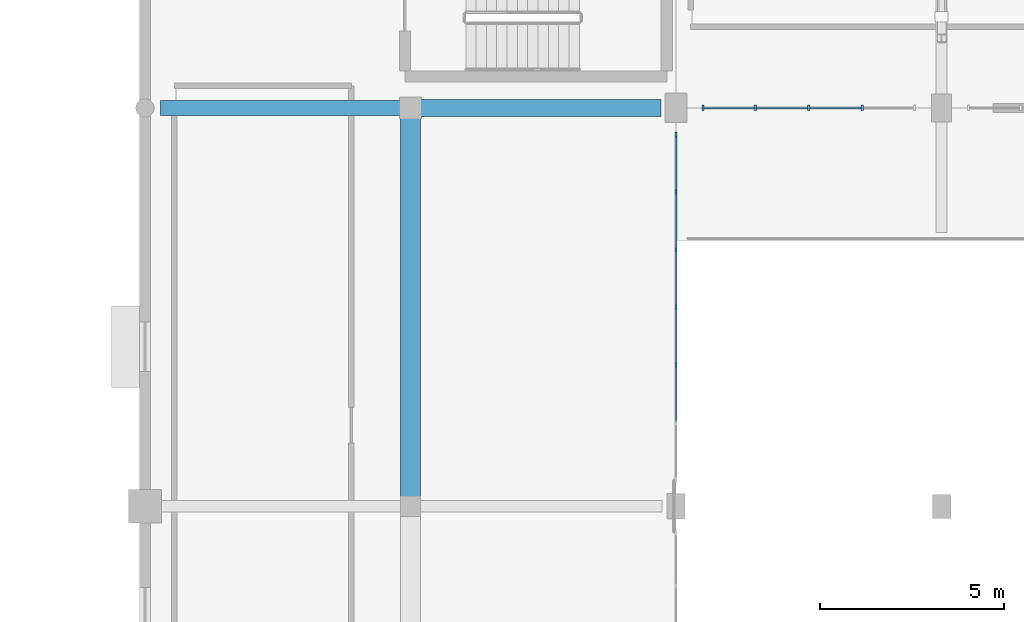
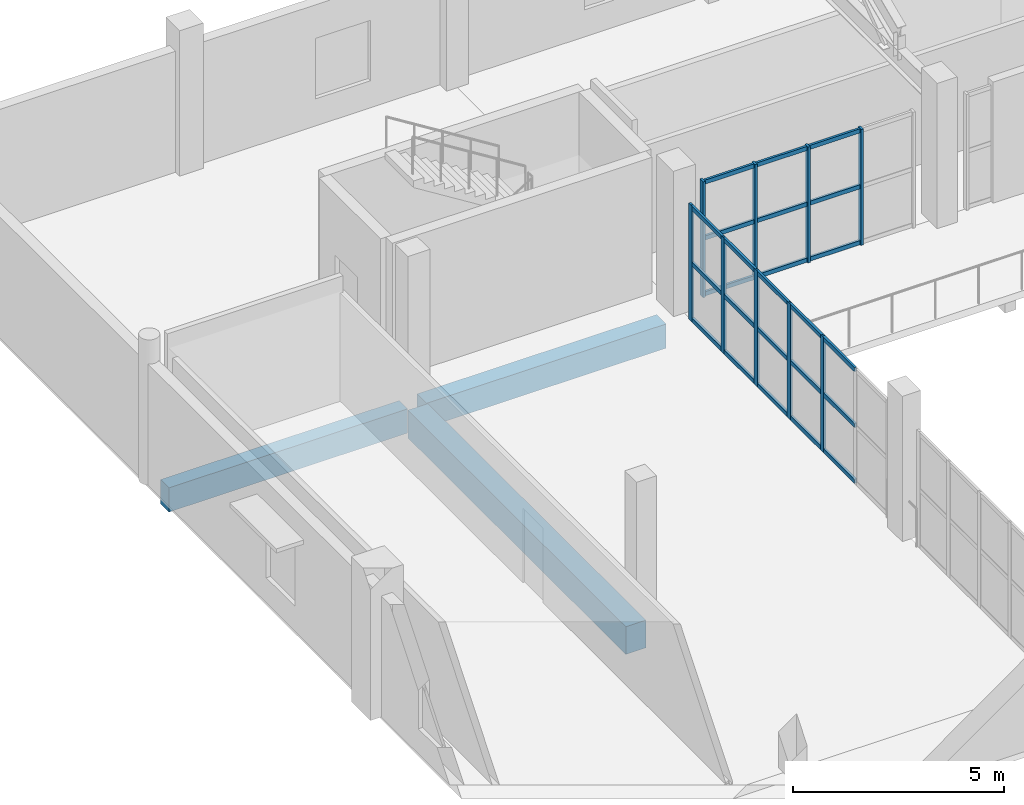
# One storey, part 23 of 92: 33 members, 3 beams, 2 elements without a shape of their own.
"""IFC4 building model written with IfcOpenShell, lengths in metres."""

from ifc_helpers import new_model, si_unit, direction, frame, origin, origin_2d, place, context, subcontext, project, spatial, rectangle, extrude, material, material_profile, profile_set, type_object, element, aggregate, save


model = new_model("IFC4")

# Units and contexts
model_context = context("Model", 3, precision=1e-05, world=origin(), true_north=direction((0.0, 1.0)))
body_context = subcontext(model_context, "Body", "Model", "MODEL_VIEW")
ifc_project = project(units=[si_unit("LENGTHUNIT", "METRE"), si_unit("AREAUNIT", "SQUARE_METRE"), si_unit("VOLUMEUNIT", "CUBIC_METRE"), si_unit("PLANEANGLEUNIT", "RADIAN"), si_unit("MASSUNIT", "GRAM", prefix="KILO")], contexts=[model_context])

# Site, building, storey
site_placement = place(None, origin())
site = spatial("IfcSite", under=ifc_project, at=site_placement, CompositionType="ELEMENT")
building_placement = place(site_placement, origin())
building = spatial("IfcBuilding", under=site, at=building_placement, Name="Solanera Park Tramway Depot", CompositionType="ELEMENT")
storey_placement = place(building_placement, frame((0.0, 0.0, 4.800048828125)))
storey = spatial("IfcBuildingStorey", under=building, at=storey_placement, Name="L01", CompositionType="ELEMENT", Elevation=4.800048828125)

# Curtain wall, members
ifc_material_1 = material(Name="Bronze-anodised thermally broken aluminium curtain wall", Category="aluminium")
curtain_wall_type = type_object("IfcCurtainWallType", Name="Courtyard Cloister Unitised Curtain Wall", PredefinedType="NOTDEFINED", material=ifc_material_1)
curtain_wall_1_placement = place(storey_placement, origin())
curtain_wall_1 = element("IfcCurtainWall", 1, at=curtain_wall_1_placement, inside=storey, type_object=curtain_wall_type, Name="L01 Courtyard Cloister Unitised Curtain Wall #094", PredefinedType="NOTDEFINED")
ifc_material_2 = material(Name="Bronze-anodised structural aluminium 6063-T6", Category="aluminium")
ifc_material_profile_1 = material_profile(ifc_material_2, rectangle(XDim=0.06494140625, YDim=0.14990234375, at=origin_2d()), Name="Curtain Wall Mullion 65x150")
ifc_profile_set_1 = profile_set([ifc_material_profile_1], Name="Bronze-anodised structural aluminium 6063-T6")
member_type_1 = type_object("IfcMemberType", Name="Curtain Wall Mullion 65x150", PredefinedType="MULLION", material=ifc_profile_set_1)
member_1_placement = place(storey_placement, frame((127.449951171875, 43.199951171875, 0.0), z_axis=(0.0, 0.0, 1.0), x_axis=(1.0, 0.0, 0.0)))
member_1 = element("IfcMember", 2, at=member_1_placement, type_object=member_type_1, Name="CW-L01-094 Mullion 2", PredefinedType="MULLION", context=body_context, shape_type="SweptSolid", body=[
    extrude(rectangle(XDim=0.06494140625, YDim=0.14990234375, at=origin_2d()), origin(), (0.0, 0.0, 1.0), 3.349853515625),
])
member_2_placement = place(storey_placement, frame((126.0, 43.199951171875, 0.0), z_axis=(0.0, 0.0, 1.0), x_axis=(1.0, 0.0, 0.0)))
member_2 = element("IfcMember", 3, at=member_2_placement, type_object=member_type_1, Name="CW-L01-094 Mullion 3", PredefinedType="MULLION", context=body_context, shape_type="SweptSolid", body=[
    extrude(rectangle(XDim=0.06494140625, YDim=0.14990234375, at=origin_2d()), origin(), (0.0, 0.0, 1.0), 3.349853515625),
])
member_3_placement = place(storey_placement, frame((124.550048828125, 43.199951171875, 0.0), z_axis=(0.0, 0.0, 1.0), x_axis=(1.0, 0.0, 0.0)))
member_3 = element("IfcMember", 4, at=member_3_placement, type_object=member_type_1, Name="CW-L01-094 Mullion 4", PredefinedType="MULLION", context=body_context, shape_type="SweptSolid", body=[
    extrude(rectangle(XDim=0.06494140625, YDim=0.14990234375, at=origin_2d()), origin(), (0.0, 0.0, 1.0), 3.349853515625),
])
member_4_placement = place(storey_placement, frame((123.132568359375, 43.199951171875, 0.0), z_axis=(0.0, 0.0, 1.0), x_axis=(1.0, 0.0, 0.0)))
member_4 = element("IfcMember", 5, at=member_4_placement, type_object=member_type_1, Name="CW-L01-094 Mullion 5", PredefinedType="MULLION", context=body_context, shape_type="SweptSolid", body=[
    extrude(rectangle(XDim=0.06494140625, YDim=0.14990234375, at=origin_2d()), origin(), (0.0, 0.0, 1.0), 3.349853515625),
])

curtain_wall_2_placement = place(storey_placement, origin())
curtain_wall_2 = element("IfcCurtainWall", 6, at=curtain_wall_2_placement, inside=storey, type_object=curtain_wall_type, Name="L01 Courtyard Cloister Unitised Curtain Wall #102", PredefinedType="NOTDEFINED")
member_5_placement = place(storey_placement, frame((122.39990234375, 36.2333984375, 0.0), z_axis=(0.0, 0.0, 1.0), x_axis=(1.0, 0.0, 0.0)))
member_5 = element("IfcMember", 7, at=member_5_placement, type_object=member_type_1, Name="CW-L01-102 Mullion 3", PredefinedType="MULLION", context=body_context, shape_type="SweptSolid", body=[
    extrude(rectangle(XDim=0.06494140625, YDim=0.14990234375, at=origin_2d()), origin(), (0.0, 0.0, 1.0), 3.349853515625),
])
member_6_placement = place(storey_placement, frame((122.39990234375, 37.800048828125, 0.0), z_axis=(0.0, 0.0, 1.0), x_axis=(1.0, 0.0, 0.0)))
member_6 = element("IfcMember", 8, at=member_6_placement, type_object=member_type_1, Name="CW-L01-102 Mullion 4", PredefinedType="MULLION", context=body_context, shape_type="SweptSolid", body=[
    extrude(rectangle(XDim=0.06494140625, YDim=0.14990234375, at=origin_2d()), origin(), (0.0, 0.0, 1.0), 3.349853515625),
])
member_7_placement = place(storey_placement, frame((122.39990234375, 39.36669921875, 0.0), z_axis=(0.0, 0.0, 1.0), x_axis=(1.0, 0.0, 0.0)))
member_7 = element("IfcMember", 9, at=member_7_placement, type_object=member_type_1, Name="CW-L01-102 Mullion 5", PredefinedType="MULLION", context=body_context, shape_type="SweptSolid", body=[
    extrude(rectangle(XDim=0.06494140625, YDim=0.14990234375, at=origin_2d()), origin(), (0.0, 0.0, 1.0), 3.349853515625),
])
member_8_placement = place(storey_placement, frame((122.39990234375, 40.933349609375, 0.0), z_axis=(0.0, 0.0, 1.0), x_axis=(1.0, 0.0, 0.0)))
member_8 = element("IfcMember", 10, at=member_8_placement, type_object=member_type_1, Name="CW-L01-102 Mullion 6", PredefinedType="MULLION", context=body_context, shape_type="SweptSolid", body=[
    extrude(rectangle(XDim=0.06494140625, YDim=0.14990234375, at=origin_2d()), origin(), (0.0, 0.0, 1.0), 3.349853515625),
])
member_9_placement = place(storey_placement, frame((122.39990234375, 42.467529296875, 0.0), z_axis=(0.0, 0.0, 1.0), x_axis=(1.0, 0.0, 0.0)))
member_9 = element("IfcMember", 11, at=member_9_placement, type_object=member_type_1, Name="CW-L01-102 Mullion 7", PredefinedType="MULLION", context=body_context, shape_type="SweptSolid", body=[
    extrude(rectangle(XDim=0.06494140625, YDim=0.14990234375, at=origin_2d()), origin(), (0.0, 0.0, 1.0), 3.349853515625),
])

# Member
ifc_material_3 = material(Name="Bronze-anodised structural aluminium 6063-T6", Category="aluminium")
ifc_material_profile_2 = material_profile(ifc_material_3, rectangle(XDim=0.06494140625, YDim=0.1201171875, at=origin_2d()), Name="Curtain Wall Transom 65x120")
ifc_profile_set_2 = profile_set([ifc_material_profile_2], Name="Bronze-anodised structural aluminium 6063-T6")
member_type_2 = type_object("IfcMemberType", Name="Curtain Wall Transom 65x120", PredefinedType="USERDEFINED", material=ifc_profile_set_2)
member_10_placement = place(storey_placement, frame((127.422119140625, 43.199951171875, 0.06005859375), z_axis=(-1.0, 0.0, 0.0), x_axis=(0.0, -1.0, 0.0)))
member_10 = element("IfcMember", 12, at=member_10_placement, type_object=member_type_2, Name="CW-L01-094 Transom R1.C2", ObjectType="TRANSOM", PredefinedType="USERDEFINED", context=body_context, shape_type="SweptSolid", body=[
    extrude(rectangle(XDim=0.06494140625, YDim=0.1201171875, at=origin_2d()), origin(), (0.0, 0.0, 1.0), 1.39404296875),
])

member_11_placement = place(storey_placement, frame((125.971923828125, 43.199951171875, 0.06005859375), z_axis=(-1.0, 0.0, 0.0), x_axis=(0.0, -1.0, 0.0)))
member_11 = element("IfcMember", 13, at=member_11_placement, type_object=member_type_2, Name="CW-L01-094 Transom R1.C3", ObjectType="TRANSOM", PredefinedType="USERDEFINED", context=body_context, shape_type="SweptSolid", body=[
    extrude(rectangle(XDim=0.06494140625, YDim=0.1201171875, at=origin_2d()), origin(), (0.0, 0.0, 1.0), 1.39404296875),
])

member_12_placement = place(storey_placement, frame((124.52197265625, 43.199951171875, 0.06005859375), z_axis=(-1.0, 0.0, 0.0), x_axis=(0.0, -1.0, 0.0)))
member_12 = element("IfcMember", 14, at=member_12_placement, type_object=member_type_2, Name="CW-L01-094 Transom R1.C4", ObjectType="TRANSOM", PredefinedType="USERDEFINED", context=body_context, shape_type="SweptSolid", body=[
    extrude(rectangle(XDim=0.06494140625, YDim=0.1201171875, at=origin_2d()), origin(), (0.0, 0.0, 1.0), 1.361572265625),
])

member_13_placement = place(storey_placement, frame((127.422119140625, 43.199951171875, 1.675048828125), z_axis=(-1.0, 0.0, 0.0), x_axis=(0.0, -1.0, 0.0)))
member_13 = element("IfcMember", 15, at=member_13_placement, type_object=member_type_2, Name="CW-L01-094 Transom R2.C2", ObjectType="TRANSOM", PredefinedType="USERDEFINED", context=body_context, shape_type="SweptSolid", body=[
    extrude(rectangle(XDim=0.06494140625, YDim=0.1201171875, at=origin_2d()), origin(), (0.0, 0.0, 1.0), 1.39404296875),
])

member_14_placement = place(storey_placement, frame((125.971923828125, 43.199951171875, 1.675048828125), z_axis=(-1.0, 0.0, 0.0), x_axis=(0.0, -1.0, 0.0)))
member_14 = element("IfcMember", 16, at=member_14_placement, type_object=member_type_2, Name="CW-L01-094 Transom R2.C3", ObjectType="TRANSOM", PredefinedType="USERDEFINED", context=body_context, shape_type="SweptSolid", body=[
    extrude(rectangle(XDim=0.06494140625, YDim=0.1201171875, at=origin_2d()), origin(), (0.0, 0.0, 1.0), 1.39404296875),
])

member_15_placement = place(storey_placement, frame((124.52197265625, 43.199951171875, 1.675048828125), z_axis=(-1.0, 0.0, 0.0), x_axis=(0.0, -1.0, 0.0)))
member_15 = element("IfcMember", 17, at=member_15_placement, type_object=member_type_2, Name="CW-L01-094 Transom R2.C4", ObjectType="TRANSOM", PredefinedType="USERDEFINED", context=body_context, shape_type="SweptSolid", body=[
    extrude(rectangle(XDim=0.06494140625, YDim=0.1201171875, at=origin_2d()), origin(), (0.0, 0.0, 1.0), 1.361572265625),
])

member_16_placement = place(storey_placement, frame((127.422119140625, 43.199951171875, 3.2900390625), z_axis=(-1.0, 0.0, 0.0), x_axis=(0.0, -1.0, 0.0)))
member_16 = element("IfcMember", 18, at=member_16_placement, type_object=member_type_2, Name="CW-L01-094 Transom R3.C2", ObjectType="TRANSOM", PredefinedType="USERDEFINED", context=body_context, shape_type="SweptSolid", body=[
    extrude(rectangle(XDim=0.06494140625, YDim=0.1201171875, at=origin_2d()), origin(), (0.0, 0.0, 1.0), 1.39404296875),
])

member_17_placement = place(storey_placement, frame((125.971923828125, 43.199951171875, 3.2900390625), z_axis=(-1.0, 0.0, 0.0), x_axis=(0.0, -1.0, 0.0)))
member_17 = element("IfcMember", 19, at=member_17_placement, type_object=member_type_2, Name="CW-L01-094 Transom R3.C3", ObjectType="TRANSOM", PredefinedType="USERDEFINED", context=body_context, shape_type="SweptSolid", body=[
    extrude(rectangle(XDim=0.06494140625, YDim=0.1201171875, at=origin_2d()), origin(), (0.0, 0.0, 1.0), 1.39404296875),
])

member_18_placement = place(storey_placement, frame((124.52197265625, 43.199951171875, 3.2900390625), z_axis=(-1.0, 0.0, 0.0), x_axis=(0.0, -1.0, 0.0)))
member_18 = element("IfcMember", 20, at=member_18_placement, type_object=member_type_2, Name="CW-L01-094 Transom R3.C4", ObjectType="TRANSOM", PredefinedType="USERDEFINED", context=body_context, shape_type="SweptSolid", body=[
    extrude(rectangle(XDim=0.06494140625, YDim=0.1201171875, at=origin_2d()), origin(), (0.0, 0.0, 1.0), 1.361572265625),
])

aggregate(curtain_wall_1, [member_1, member_2, member_3, member_4, member_10, member_11, member_12, member_13, member_14, member_15, member_16, member_17, member_18])

member_19_placement = place(storey_placement, frame((122.39990234375, 34.694580078125, 0.06005859375), z_axis=(0.0, 1.0, 0.0), x_axis=(-1.0, 0.0, 0.0)))
member_19 = element("IfcMember", 21, at=member_19_placement, type_object=member_type_2, Name="CW-L01-102 Transom R1.C2", ObjectType="TRANSOM", PredefinedType="USERDEFINED", context=body_context, shape_type="SweptSolid", body=[
    extrude(rectangle(XDim=0.06494140625, YDim=0.1201171875, at=origin_2d()), origin(), (0.0, 0.0, 1.0), 1.5107421875),
])

member_20_placement = place(storey_placement, frame((122.39990234375, 36.26123046875, 0.06005859375), z_axis=(0.0, 1.0, 0.0), x_axis=(-1.0, 0.0, 0.0)))
member_20 = element("IfcMember", 22, at=member_20_placement, type_object=member_type_2, Name="CW-L01-102 Transom R1.C3", ObjectType="TRANSOM", PredefinedType="USERDEFINED", context=body_context, shape_type="SweptSolid", body=[
    extrude(rectangle(XDim=0.06494140625, YDim=0.1201171875, at=origin_2d()), origin(), (0.0, 0.0, 1.0), 1.5107421875),
])

member_21_placement = place(storey_placement, frame((122.39990234375, 37.827880859375, 0.06005859375), z_axis=(0.0, 1.0, 0.0), x_axis=(-1.0, 0.0, 0.0)))
member_21 = element("IfcMember", 23, at=member_21_placement, type_object=member_type_2, Name="CW-L01-102 Transom R1.C4", ObjectType="TRANSOM", PredefinedType="USERDEFINED", context=body_context, shape_type="SweptSolid", body=[
    extrude(rectangle(XDim=0.06494140625, YDim=0.1201171875, at=origin_2d()), origin(), (0.0, 0.0, 1.0), 1.5107421875),
])

member_22_placement = place(storey_placement, frame((122.39990234375, 39.394775390625, 0.06005859375), z_axis=(0.0, 1.0, 0.0), x_axis=(-1.0, 0.0, 0.0)))
member_22 = element("IfcMember", 24, at=member_22_placement, type_object=member_type_2, Name="CW-L01-102 Transom R1.C5", ObjectType="TRANSOM", PredefinedType="USERDEFINED", context=body_context, shape_type="SweptSolid", body=[
    extrude(rectangle(XDim=0.06494140625, YDim=0.1201171875, at=origin_2d()), origin(), (0.0, 0.0, 1.0), 1.510498046875),
])

member_23_placement = place(storey_placement, frame((122.39990234375, 40.961181640625, 0.06005859375), z_axis=(0.0, 1.0, 0.0), x_axis=(-1.0, 0.0, 0.0)))
member_23 = element("IfcMember", 25, at=member_23_placement, type_object=member_type_2, Name="CW-L01-102 Transom R1.C6", ObjectType="TRANSOM", PredefinedType="USERDEFINED", context=body_context, shape_type="SweptSolid", body=[
    extrude(rectangle(XDim=0.06494140625, YDim=0.1201171875, at=origin_2d()), origin(), (0.0, 0.0, 1.0), 1.478271484375),
])

member_24_placement = place(storey_placement, frame((122.39990234375, 34.694580078125, 1.675048828125), z_axis=(0.0, 1.0, 0.0), x_axis=(-1.0, 0.0, 0.0)))
member_24 = element("IfcMember", 26, at=member_24_placement, type_object=member_type_2, Name="CW-L01-102 Transom R2.C2", ObjectType="TRANSOM", PredefinedType="USERDEFINED", context=body_context, shape_type="SweptSolid", body=[
    extrude(rectangle(XDim=0.06494140625, YDim=0.1201171875, at=origin_2d()), origin(), (0.0, 0.0, 1.0), 1.5107421875),
])

member_25_placement = place(storey_placement, frame((122.39990234375, 36.26123046875, 1.675048828125), z_axis=(0.0, 1.0, 0.0), x_axis=(-1.0, 0.0, 0.0)))
member_25 = element("IfcMember", 27, at=member_25_placement, type_object=member_type_2, Name="CW-L01-102 Transom R2.C3", ObjectType="TRANSOM", PredefinedType="USERDEFINED", context=body_context, shape_type="SweptSolid", body=[
    extrude(rectangle(XDim=0.06494140625, YDim=0.1201171875, at=origin_2d()), origin(), (0.0, 0.0, 1.0), 1.5107421875),
])

member_26_placement = place(storey_placement, frame((122.39990234375, 37.827880859375, 1.675048828125), z_axis=(0.0, 1.0, 0.0), x_axis=(-1.0, 0.0, 0.0)))
member_26 = element("IfcMember", 28, at=member_26_placement, type_object=member_type_2, Name="CW-L01-102 Transom R2.C4", ObjectType="TRANSOM", PredefinedType="USERDEFINED", context=body_context, shape_type="SweptSolid", body=[
    extrude(rectangle(XDim=0.06494140625, YDim=0.1201171875, at=origin_2d()), origin(), (0.0, 0.0, 1.0), 1.5107421875),
])

member_27_placement = place(storey_placement, frame((122.39990234375, 39.394775390625, 1.675048828125), z_axis=(0.0, 1.0, 0.0), x_axis=(-1.0, 0.0, 0.0)))
member_27 = element("IfcMember", 29, at=member_27_placement, type_object=member_type_2, Name="CW-L01-102 Transom R2.C5", ObjectType="TRANSOM", PredefinedType="USERDEFINED", context=body_context, shape_type="SweptSolid", body=[
    extrude(rectangle(XDim=0.06494140625, YDim=0.1201171875, at=origin_2d()), origin(), (0.0, 0.0, 1.0), 1.510498046875),
])

member_28_placement = place(storey_placement, frame((122.39990234375, 40.961181640625, 1.675048828125), z_axis=(0.0, 1.0, 0.0), x_axis=(-1.0, 0.0, 0.0)))
member_28 = element("IfcMember", 30, at=member_28_placement, type_object=member_type_2, Name="CW-L01-102 Transom R2.C6", ObjectType="TRANSOM", PredefinedType="USERDEFINED", context=body_context, shape_type="SweptSolid", body=[
    extrude(rectangle(XDim=0.06494140625, YDim=0.1201171875, at=origin_2d()), origin(), (0.0, 0.0, 1.0), 1.478271484375),
])

member_29_placement = place(storey_placement, frame((122.39990234375, 34.694580078125, 3.2900390625), z_axis=(0.0, 1.0, 0.0), x_axis=(-1.0, 0.0, 0.0)))
member_29 = element("IfcMember", 31, at=member_29_placement, type_object=member_type_2, Name="CW-L01-102 Transom R3.C2", ObjectType="TRANSOM", PredefinedType="USERDEFINED", context=body_context, shape_type="SweptSolid", body=[
    extrude(rectangle(XDim=0.06494140625, YDim=0.1201171875, at=origin_2d()), origin(), (0.0, 0.0, 1.0), 1.5107421875),
])

member_30_placement = place(storey_placement, frame((122.39990234375, 36.26123046875, 3.2900390625), z_axis=(0.0, 1.0, 0.0), x_axis=(-1.0, 0.0, 0.0)))
member_30 = element("IfcMember", 32, at=member_30_placement, type_object=member_type_2, Name="CW-L01-102 Transom R3.C3", ObjectType="TRANSOM", PredefinedType="USERDEFINED", context=body_context, shape_type="SweptSolid", body=[
    extrude(rectangle(XDim=0.06494140625, YDim=0.1201171875, at=origin_2d()), origin(), (0.0, 0.0, 1.0), 1.5107421875),
])

member_31_placement = place(storey_placement, frame((122.39990234375, 37.827880859375, 3.2900390625), z_axis=(0.0, 1.0, 0.0), x_axis=(-1.0, 0.0, 0.0)))
member_31 = element("IfcMember", 33, at=member_31_placement, type_object=member_type_2, Name="CW-L01-102 Transom R3.C4", ObjectType="TRANSOM", PredefinedType="USERDEFINED", context=body_context, shape_type="SweptSolid", body=[
    extrude(rectangle(XDim=0.06494140625, YDim=0.1201171875, at=origin_2d()), origin(), (0.0, 0.0, 1.0), 1.5107421875),
])

member_32_placement = place(storey_placement, frame((122.39990234375, 39.394775390625, 3.2900390625), z_axis=(0.0, 1.0, 0.0), x_axis=(-1.0, 0.0, 0.0)))
member_32 = element("IfcMember", 34, at=member_32_placement, type_object=member_type_2, Name="CW-L01-102 Transom R3.C5", ObjectType="TRANSOM", PredefinedType="USERDEFINED", context=body_context, shape_type="SweptSolid", body=[
    extrude(rectangle(XDim=0.06494140625, YDim=0.1201171875, at=origin_2d()), origin(), (0.0, 0.0, 1.0), 1.510498046875),
])

member_33_placement = place(storey_placement, frame((122.39990234375, 40.961181640625, 3.2900390625), z_axis=(0.0, 1.0, 0.0), x_axis=(-1.0, 0.0, 0.0)))
member_33 = element("IfcMember", 35, at=member_33_placement, type_object=member_type_2, Name="CW-L01-102 Transom R3.C6", ObjectType="TRANSOM", PredefinedType="USERDEFINED", context=body_context, shape_type="SweptSolid", body=[
    extrude(rectangle(XDim=0.06494140625, YDim=0.1201171875, at=origin_2d()), origin(), (0.0, 0.0, 1.0), 1.478271484375),
])

aggregate(curtain_wall_2, [member_5, member_6, member_7, member_8, member_9, member_19, member_20, member_21, member_22, member_23, member_24, member_25, member_26, member_27, member_28, member_29, member_30, member_31, member_32, member_33])

# Beams
ifc_material_4 = material(Name="Concrete N40 (C40/50)", Category="concrete")
ifc_material_profile_3 = material_profile(ifc_material_4, rectangle(XDim=0.39990234375, YDim=0.699951171875, at=origin_2d()), Name="RCB 400x700")
ifc_profile_set_3 = profile_set([ifc_material_profile_3], Name="Concrete N40 (C40/50)")
beam_type_1 = type_object("IfcBeamType", Name="RC Floor Beam RCB 400x700", PredefinedType="BEAM", material=ifc_profile_set_3)
beam_1_placement = place(storey_placement, frame((108.425048828125, 43.199951171875, -0.629150390625), z_axis=(1.0, 0.0, 0.0), x_axis=(0.0, 1.0, 0.0)))
element("IfcBeam", 36, at=beam_1_placement, inside=storey, type_object=beam_type_1, Name="L01 Primary X-Girder RCB 400x700 #0027", PredefinedType="BEAM", context=body_context, shape_type="SweptSolid", body=[
    extrude(rectangle(XDim=0.39990234375, YDim=0.699951171875, at=origin_2d()), origin(), (0.0, 0.0, 1.0), 6.52490234375),
])
ifc_material_5 = material(Name="Concrete N40 (C40/50)", Category="concrete")
ifc_material_profile_4 = material_profile(ifc_material_5, rectangle(XDim=0.449951171875, YDim=0.699951171875, at=origin_2d()), Name="RCB 450x700")
ifc_profile_set_4 = profile_set([ifc_material_profile_4], Name="Concrete N40 (C40/50)")
beam_type_2 = type_object("IfcBeamType", Name="RC Floor Beam RCB 450x700", PredefinedType="BEAM", material=ifc_profile_set_4)
beam_2_placement = place(storey_placement, frame((115.449951171875, 43.199951171875, -0.629150390625), z_axis=(1.0, 0.0, 0.0), x_axis=(0.0, 1.0, 0.0)))
element("IfcBeam", 37, at=beam_2_placement, inside=storey, type_object=beam_type_2, Name="L01 Primary X-Girder RCB 450x700 #0028", PredefinedType="BEAM", context=body_context, shape_type="SweptSolid", body=[
    extrude(rectangle(XDim=0.449951171875, YDim=0.699951171875, at=origin_2d()), origin(), (0.0, 0.0, 1.0), 6.550048828125),
])
ifc_material_6 = material(Name="Concrete N40 (C40/50)", Category="concrete")
ifc_material_profile_5 = material_profile(ifc_material_6, rectangle(XDim=0.550048828125, YDim=0.800048828125, at=origin_2d()), Name="RCB 550x800")
ifc_profile_set_5 = profile_set([ifc_material_profile_5], Name="Concrete N40 (C40/50)")
beam_type_3 = type_object("IfcBeamType", Name="RC Floor Beam RCB 550x800", PredefinedType="BEAM", material=ifc_profile_set_5)
beam_3_placement = place(storey_placement, frame((115.199951171875, 32.625, -0.678955078125), z_axis=(0.0, 1.0, 0.0), x_axis=(-1.0, 0.0, 0.0)))
element("IfcBeam", 38, at=beam_3_placement, inside=storey, type_object=beam_type_3, Name="L01 Primary Y-Girder RCB 550x800 #0053", PredefinedType="BEAM", context=body_context, shape_type="SweptSolid", body=[
    extrude(rectangle(XDim=0.550048828125, YDim=0.800048828125, at=origin_2d()), origin(), (0.0, 0.0, 1.0), 10.324951171875),
])

save(model, "model.ifc")
